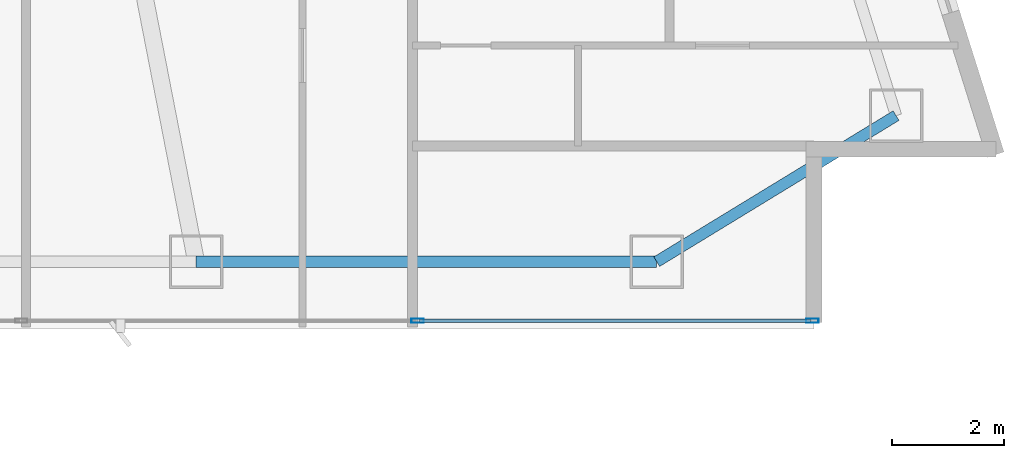
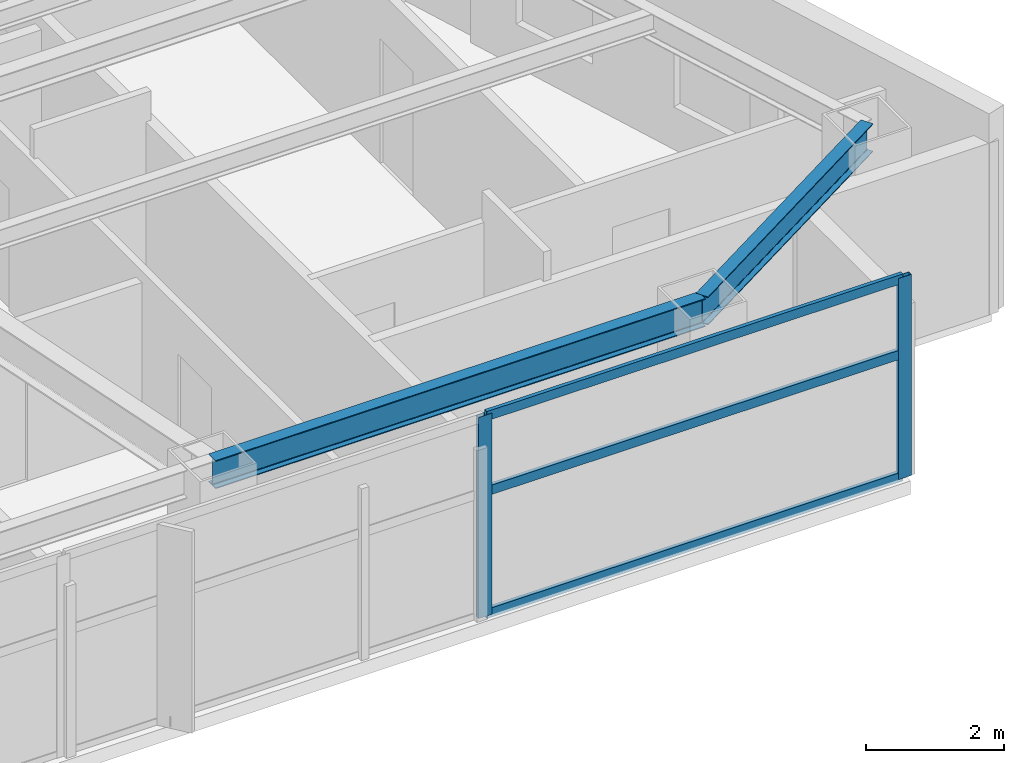
# One storey, part 14 of 29: 5 members, 2 beams, 1 element without a shape of its own.
"""IFC4 building model written with IfcOpenShell, lengths in metres."""

from ifc_helpers import new_model, si_unit, direction, frame, origin, origin_2d, place, context, subcontext, project, spatial, hollow_rectangle, i_section, extrude, material, layer, layer_set, material_profile, profile_set, type_object, element, aggregate, save


model = new_model("IFC4")

# Units and contexts
model_context = context("Model", 3, precision=1e-05, world=origin(), true_north=direction((0.0, 1.0)))
body_context = subcontext(model_context, "Body", "Model", "MODEL_VIEW")
ifc_project = project(units=[si_unit("LENGTHUNIT", "METRE"), si_unit("AREAUNIT", "SQUARE_METRE"), si_unit("VOLUMEUNIT", "CUBIC_METRE"), si_unit("PLANEANGLEUNIT", "RADIAN"), si_unit("MASSUNIT", "GRAM", prefix="KILO")], contexts=[model_context])

# Site, building, storey
site_placement = place(None, origin())
site = spatial("IfcSite", under=ifc_project, at=site_placement, CompositionType="ELEMENT")
building_placement = place(site_placement, origin())
building = spatial("IfcBuilding", under=site, at=building_placement, Name="Calvorn Quay Hotel", CompositionType="ELEMENT")
storey_placement = place(building_placement, frame((0.0, 0.0, 81.199951171875)))
storey = spatial("IfcBuildingStorey", under=building, at=storey_placement, Name="L19", CompositionType="ELEMENT", Elevation=81.199951171875)

# Beams
ifc_material_1 = material(Name="Steel Q355B", Category="steel")
ifc_material_profile_1 = material_profile(ifc_material_1, i_section(OverallWidth=0.199951171875, OverallDepth=0.5, WebThickness=0.010009765625, FlangeThickness=0.01611328125, FilletRadius=0.01611328125, at=origin_2d()), Name="HN500x200x10x16")
ifc_profile_set_1 = profile_set([ifc_material_profile_1], Name="Steel Q355B")
beam_type = type_object("IfcBeamType", Name="BM-SPANDREL-Z1", PredefinedType="SPANDREL", material=ifc_profile_set_1)
beam_1_placement = place(storey_placement, frame((49.39990234375, 3.60009765625, 3.2900390625), z_axis=(1.0, 0.0, 0.0), x_axis=(0.0, 1.0, 0.0)))
element("IfcBeam", 1, at=beam_1_placement, inside=storey, type_object=beam_type, Name="Beam BSP-L19-S6", PredefinedType="SPANDREL", context=body_context, shape_type="SweptSolid", body=[
    extrude(i_section(OverallWidth=0.199951171875, OverallDepth=0.5, WebThickness=0.010009765625, FlangeThickness=0.01611328125, FilletRadius=0.01611328125, at=origin_2d()), origin(), (0.0, 0.0, 1.0), 8.2001953125),
])
beam_2_placement = place(storey_placement, frame((57.60009765625, 3.60009765625, 3.2900390625), z_axis=(0.853645546466, 0.520854376, 0.0), x_axis=(-0.520854376, 0.853645546466, 0.0)))
element("IfcBeam", 2, at=beam_2_placement, inside=storey, type_object=beam_type, Name="Beam BSP-L19-S7", PredefinedType="SPANDREL", context=body_context, shape_type="SweptSolid", body=[
    extrude(i_section(OverallWidth=0.199951171875, OverallDepth=0.5, WebThickness=0.010009765625, FlangeThickness=0.01611328125, FilletRadius=0.01611328125, at=origin_2d()), origin(), (0.0, 0.0, 1.0), 4.991455078125),
])

# Curtain wall, members
ifc_material_2 = material(Name="Pale Anodised Aluminium and Low-E Glass", Category="aluminium")
ifc_layer = layer(ifc_material_2, 0.219970703125)
ifc_layer_set = layer_set([ifc_layer], Name="CW-SYS-Z1")
curtain_wall_type = type_object("IfcCurtainWallType", Name="CW-SYS-Z1", PredefinedType="NOTDEFINED", material=ifc_layer_set)
curtain_wall_placement = place(storey_placement, origin())
curtain_wall = element("IfcCurtainWall", 3, at=curtain_wall_placement, inside=storey, type_object=curtain_wall_type, Name="Tower South Waterfront Curtain Wall (L19)", PredefinedType="NOTDEFINED")
ifc_material_3 = material(Name="Pale Anodised Aluminium 6063-T6", Category="aluminium")
ifc_material_profile_2 = material_profile(ifc_material_3, hollow_rectangle(XDim=0.074951171875, YDim=0.219970703125, WallThickness=0.00439453125, at=origin_2d()), Name="ALU-M220x75x4.5")
ifc_profile_set_2 = profile_set([ifc_material_profile_2], Name="Pale Anodised Aluminium 6063-T6")
member_type_1 = type_object("IfcMemberType", Name="CW-SYS-Z1-MUL", PredefinedType="MULLION", material=ifc_profile_set_2)
member_1_placement = place(storey_placement, frame((53.3427734375, 2.550048828125, 0.0), z_axis=(0.0, 0.0, 1.0), x_axis=(0.0, 1.0, 0.0)))
member_1 = element("IfcMember", 4, at=member_1_placement, type_object=member_type_1, Name="CW-L19-S mullion 7", PredefinedType="MULLION", context=body_context, shape_type="SweptSolid", body=[
    extrude(hollow_rectangle(XDim=0.074951171875, YDim=0.219970703125, WallThickness=0.00439453125, at=origin_2d()), origin(), (0.0, 0.0, 1.0), 3.56005859375),
])
member_2_placement = place(storey_placement, frame((60.3701171875, 2.550048828125, 0.0), z_axis=(0.0, 0.0, 1.0), x_axis=(0.0, 1.0, 0.0)))
member_2 = element("IfcMember", 5, at=member_2_placement, type_object=member_type_1, Name="CW-L19-S mullion 8", PredefinedType="MULLION", context=body_context, shape_type="SweptSolid", body=[
    extrude(hollow_rectangle(XDim=0.074951171875, YDim=0.219970703125, WallThickness=0.00439453125, at=origin_2d()), origin(), (0.0, 0.0, 1.0), 3.56005859375),
])
ifc_material_4 = material(Name="Pale Anodised Aluminium 6063-T6", Category="aluminium")
ifc_material_profile_3 = material_profile(ifc_material_4, hollow_rectangle(XDim=0.06494140625, YDim=0.1650390625, WallThickness=0.00341796875, at=origin_2d()), Name="ALU-T165x65x3.5")
ifc_profile_set_3 = profile_set([ifc_material_profile_3], Name="Pale Anodised Aluminium 6063-T6")
member_type_2 = type_object("IfcMemberType", Name="CW-SYS-Z1-TRN", PredefinedType="USERDEFINED", material=ifc_profile_set_3)
member_3_placement = place(storey_placement, frame((53.372802734375, 2.550048828125, 0.030029296875), z_axis=(1.0, 0.0, 0.0), x_axis=(0.0, 1.0, 0.0)))
member_3 = element("IfcMember", 6, at=member_3_placement, type_object=member_type_2, Name="CW-L19-S transom 7.1", ObjectType="TRANSOM", PredefinedType="USERDEFINED", context=body_context, shape_type="SweptSolid", body=[
    extrude(hollow_rectangle(XDim=0.06494140625, YDim=0.1650390625, WallThickness=0.00341796875, at=origin_2d()), origin(), (0.0, 0.0, 1.0), 6.96728515625),
])
member_4_placement = place(storey_placement, frame((53.372802734375, 2.550048828125, 2.199951171875), z_axis=(1.0, 0.0, 0.0), x_axis=(0.0, 1.0, 0.0)))
member_4 = element("IfcMember", 7, at=member_4_placement, type_object=member_type_2, Name="CW-L19-S transom 7.2", ObjectType="TRANSOM", PredefinedType="USERDEFINED", context=body_context, shape_type="SweptSolid", body=[
    extrude(hollow_rectangle(XDim=0.06494140625, YDim=0.1650390625, WallThickness=0.00341796875, at=origin_2d()), origin(), (0.0, 0.0, 1.0), 6.96728515625),
])
member_5_placement = place(storey_placement, frame((53.372802734375, 2.550048828125, 3.530029296875), z_axis=(1.0, 0.0, 0.0), x_axis=(0.0, 1.0, 0.0)))
member_5 = element("IfcMember", 8, at=member_5_placement, type_object=member_type_2, Name="CW-L19-S transom 7.3", ObjectType="TRANSOM", PredefinedType="USERDEFINED", context=body_context, shape_type="SweptSolid", body=[
    extrude(hollow_rectangle(XDim=0.06494140625, YDim=0.1650390625, WallThickness=0.00341796875, at=origin_2d()), origin(), (0.0, 0.0, 1.0), 6.96728515625),
])
aggregate(curtain_wall, [member_1, member_2, member_3, member_4, member_5])

save(model, "model.ifc")
